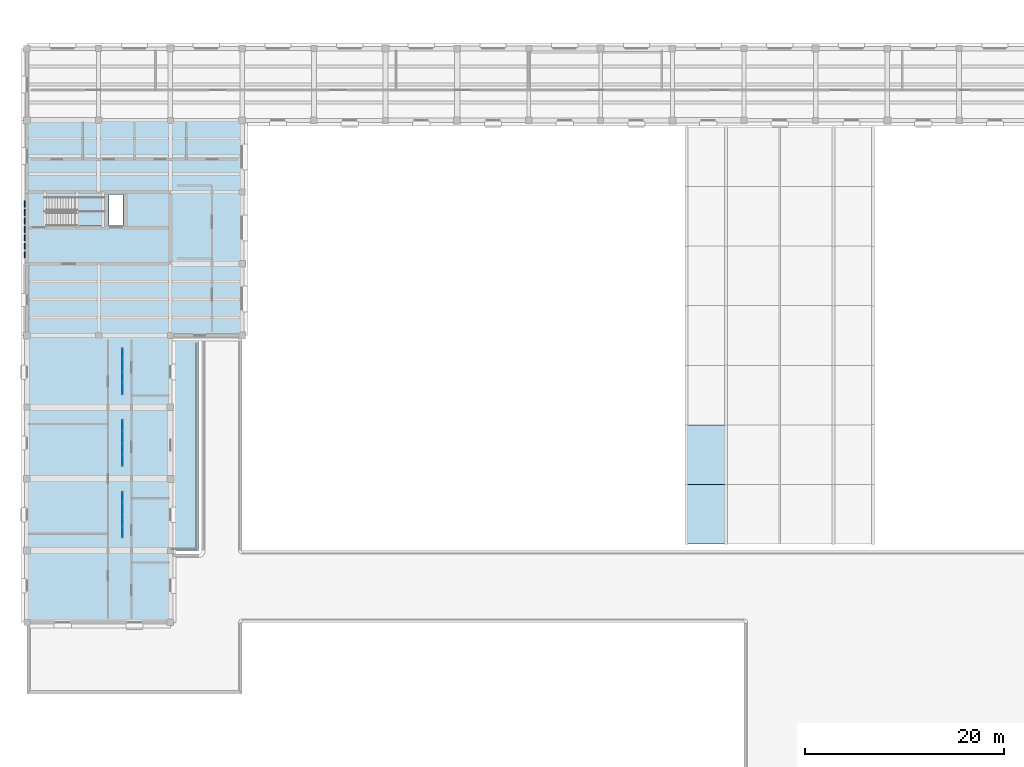
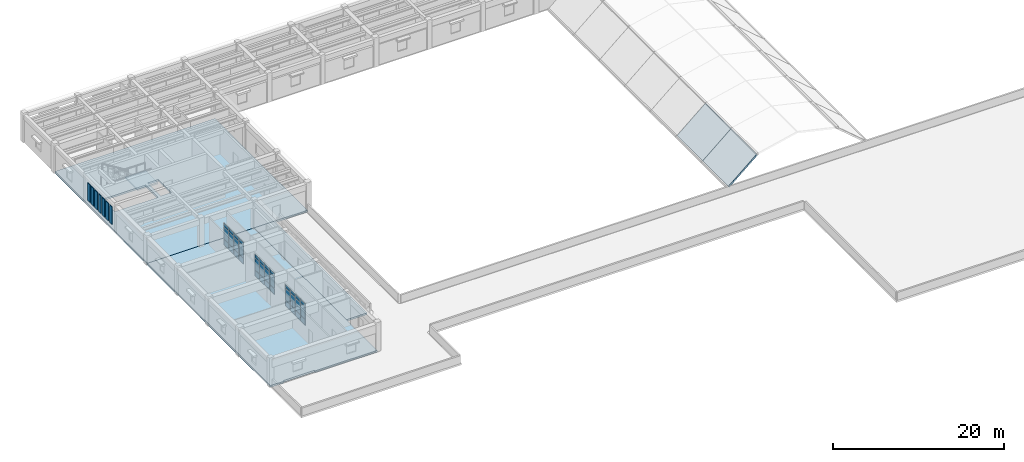
# One storey, part 13 of 40: 43 plates, 6 slabs, 4 elements without a shape of their own.
"""IFC4 building model written with IfcOpenShell, lengths in metres."""

from ifc_helpers import new_model, si_unit, direction, frame, origin, origin_2d, place, context, subcontext, project, spatial, polyline, rectangle, outline, extrude, material, layer, layer_set, type_object, element, aggregate, save


model = new_model("IFC4")

# Units and contexts
model_context = context("Model", 3, precision=1e-05, world=origin(), true_north=direction((0.0, 1.0)))
body_context = subcontext(model_context, "Body", "Model", "MODEL_VIEW")
ifc_project = project(units=[si_unit("LENGTHUNIT", "METRE"), si_unit("AREAUNIT", "SQUARE_METRE"), si_unit("VOLUMEUNIT", "CUBIC_METRE"), si_unit("PLANEANGLEUNIT", "RADIAN"), si_unit("MASSUNIT", "GRAM", prefix="KILO")], contexts=[model_context])

# Site, building, storey
site_placement = place(None, origin())
site = spatial("IfcSite", under=ifc_project, at=site_placement, CompositionType="ELEMENT")
building_placement = place(site_placement, origin())
building = spatial("IfcBuilding", under=site, at=building_placement, Name="Mithqara Police Headquarters", CompositionType="ELEMENT")
storey_placement = place(building_placement, frame((0.0, 0.0, 13.800048828125)))
storey = spatial("IfcBuildingStorey", under=building, at=storey_placement, Name="L03", CompositionType="ELEMENT", Elevation=13.800048828125)

# Curtain wall, plates
ifc_material_1 = material(Name="Bronze anodised aluminium 6063-T6", Category="aluminium")
curtain_wall_type = type_object("IfcCurtainWallType", Name="CURTAIN WALL 4700X3220", PredefinedType="USERDEFINED", material=ifc_material_1)
curtain_wall_1_placement = place(storey_placement, origin())
curtain_wall_1 = element("IfcCurtainWall", 1, at=curtain_wall_1_placement, inside=storey, type_object=curtain_wall_type, Name="L03 Unitised Glazing CW-16 (CW-INT-L03-X02-Y05-0)", ObjectType="UNITISED GLAZING", PredefinedType="USERDEFINED")
ifc_material_2 = material(Name="Spectrally selective double low-e glass", Category="glass")
ifc_layer_1 = layer(ifc_material_2, 0.028076171875, Name="Spectrally selective double low-e glass")
ifc_layer_set_1 = layer_set([ifc_layer_1], Name="Spectrally selective double low-e glass")
plate_type_1 = type_object("IfcPlateType", Name="CWPANEL GLASS28", PredefinedType="CURTAIN_PANEL", material=ifc_layer_set_1)
plate_1_placement = place(storey_placement, frame((17.39990234375, 37.25634765625, 0.074951171875), z_axis=(0.0, 0.0, 1.0), x_axis=(0.0, 1.0, 0.0)))
plate_1 = element("IfcPlate", 2, at=plate_1_placement, type_object=plate_type_1, Name="CW-16 panel 1.1", PredefinedType="CURTAIN_PANEL", context=body_context, shape_type="SweptSolid", body=[
    extrude(rectangle(XDim=1.0625, YDim=0.028076171875, at=origin_2d()), origin(), (0.0, 0.0, 1.0), 0.78759765625),
])
plate_2_placement = place(storey_placement, frame((17.39990234375, 37.25634765625, 0.9375), z_axis=(0.0, 0.0, 1.0), x_axis=(0.0, 1.0, 0.0)))
plate_2 = element("IfcPlate", 3, at=plate_2_placement, type_object=plate_type_1, Name="CW-16 panel 1.2", PredefinedType="CURTAIN_PANEL", context=body_context, shape_type="SweptSolid", body=[
    extrude(rectangle(XDim=1.0625, YDim=0.028076171875, at=origin_2d()), origin(), (0.0, 0.0, 1.0), 1.695068359375),
])
plate_3_placement = place(storey_placement, frame((17.39990234375, 37.25634765625, 2.70751953125), z_axis=(0.0, 0.0, 1.0), x_axis=(0.0, 1.0, 0.0)))
plate_3 = element("IfcPlate", 4, at=plate_3_placement, type_object=plate_type_1, Name="CW-16 panel 1.3", PredefinedType="CURTAIN_PANEL", context=body_context, shape_type="SweptSolid", body=[
    extrude(rectangle(XDim=1.0625, YDim=0.028076171875, at=origin_2d()), origin(), (0.0, 0.0, 1.0), 0.4375),
])
plate_4_placement = place(storey_placement, frame((17.39990234375, 38.41259765625, 0.074951171875), z_axis=(0.0, 0.0, 1.0), x_axis=(0.0, 1.0, 0.0)))
plate_4 = element("IfcPlate", 5, at=plate_4_placement, type_object=plate_type_1, Name="CW-16 panel 2.1", PredefinedType="CURTAIN_PANEL", context=body_context, shape_type="SweptSolid", body=[
    extrude(rectangle(XDim=1.10009765625, YDim=0.028076171875, at=origin_2d()), origin(), (0.0, 0.0, 1.0), 0.78759765625),
])
plate_5_placement = place(storey_placement, frame((17.39990234375, 38.41259765625, 0.9375), z_axis=(0.0, 0.0, 1.0), x_axis=(0.0, 1.0, 0.0)))
plate_5 = element("IfcPlate", 6, at=plate_5_placement, type_object=plate_type_1, Name="CW-16 panel 2.2", PredefinedType="CURTAIN_PANEL", context=body_context, shape_type="SweptSolid", body=[
    extrude(rectangle(XDim=1.10009765625, YDim=0.028076171875, at=origin_2d()), origin(), (0.0, 0.0, 1.0), 1.695068359375),
])
plate_6_placement = place(storey_placement, frame((17.39990234375, 38.41259765625, 2.70751953125), z_axis=(0.0, 0.0, 1.0), x_axis=(0.0, 1.0, 0.0)))
plate_6 = element("IfcPlate", 7, at=plate_6_placement, type_object=plate_type_1, Name="CW-16 panel 2.3", PredefinedType="CURTAIN_PANEL", context=body_context, shape_type="SweptSolid", body=[
    extrude(rectangle(XDim=1.10009765625, YDim=0.028076171875, at=origin_2d()), origin(), (0.0, 0.0, 1.0), 0.4375),
])
plate_7_placement = place(storey_placement, frame((17.39990234375, 39.58740234375, 0.074951171875), z_axis=(0.0, 0.0, 1.0), x_axis=(0.0, 1.0, 0.0)))
plate_7 = element("IfcPlate", 8, at=plate_7_placement, type_object=plate_type_1, Name="CW-16 panel 3.1", PredefinedType="CURTAIN_PANEL", context=body_context, shape_type="SweptSolid", body=[
    extrude(rectangle(XDim=1.10009765625, YDim=0.028076171875, at=origin_2d()), origin(), (0.0, 0.0, 1.0), 0.78759765625),
])
plate_8_placement = place(storey_placement, frame((17.39990234375, 39.58740234375, 0.9375), z_axis=(0.0, 0.0, 1.0), x_axis=(0.0, 1.0, 0.0)))
plate_8 = element("IfcPlate", 9, at=plate_8_placement, type_object=plate_type_1, Name="CW-16 panel 3.2", PredefinedType="CURTAIN_PANEL", context=body_context, shape_type="SweptSolid", body=[
    extrude(rectangle(XDim=1.10009765625, YDim=0.028076171875, at=origin_2d()), origin(), (0.0, 0.0, 1.0), 1.695068359375),
])
plate_9_placement = place(storey_placement, frame((17.39990234375, 39.58740234375, 2.70751953125), z_axis=(0.0, 0.0, 1.0), x_axis=(0.0, 1.0, 0.0)))
plate_9 = element("IfcPlate", 10, at=plate_9_placement, type_object=plate_type_1, Name="CW-16 panel 3.3", PredefinedType="CURTAIN_PANEL", context=body_context, shape_type="SweptSolid", body=[
    extrude(rectangle(XDim=1.10009765625, YDim=0.028076171875, at=origin_2d()), origin(), (0.0, 0.0, 1.0), 0.4375),
])
plate_10_placement = place(storey_placement, frame((17.39990234375, 40.74365234375, 0.074951171875), z_axis=(0.0, 0.0, 1.0), x_axis=(0.0, 1.0, 0.0)))
plate_10 = element("IfcPlate", 11, at=plate_10_placement, type_object=plate_type_1, Name="CW-16 panel 4.1", PredefinedType="CURTAIN_PANEL", context=body_context, shape_type="SweptSolid", body=[
    extrude(rectangle(XDim=1.0625, YDim=0.028076171875, at=origin_2d()), origin(), (0.0, 0.0, 1.0), 0.78759765625),
])
plate_11_placement = place(storey_placement, frame((17.39990234375, 40.74365234375, 0.9375), z_axis=(0.0, 0.0, 1.0), x_axis=(0.0, 1.0, 0.0)))
plate_11 = element("IfcPlate", 12, at=plate_11_placement, type_object=plate_type_1, Name="CW-16 panel 4.2", PredefinedType="CURTAIN_PANEL", context=body_context, shape_type="SweptSolid", body=[
    extrude(rectangle(XDim=1.0625, YDim=0.028076171875, at=origin_2d()), origin(), (0.0, 0.0, 1.0), 1.695068359375),
])
plate_12_placement = place(storey_placement, frame((17.39990234375, 40.74365234375, 2.70751953125), z_axis=(0.0, 0.0, 1.0), x_axis=(0.0, 1.0, 0.0)))
plate_12 = element("IfcPlate", 13, at=plate_12_placement, type_object=plate_type_1, Name="CW-16 panel 4.3", PredefinedType="CURTAIN_PANEL", context=body_context, shape_type="SweptSolid", body=[
    extrude(rectangle(XDim=1.0625, YDim=0.028076171875, at=origin_2d()), origin(), (0.0, 0.0, 1.0), 0.4375),
])
aggregate(curtain_wall_1, [plate_1, plate_2, plate_3, plate_4, plate_5, plate_6, plate_7, plate_8, plate_9, plate_10, plate_11, plate_12])

curtain_wall_2_placement = place(storey_placement, origin())
curtain_wall_2 = element("IfcCurtainWall", 14, at=curtain_wall_2_placement, inside=storey, type_object=curtain_wall_type, Name="L03 Unitised Glazing CW-16 (CW-INT-L03-X02-Y06-0)", ObjectType="UNITISED GLAZING", PredefinedType="USERDEFINED")
plate_13_placement = place(storey_placement, frame((17.39990234375, 44.456298828125, 0.074951171875), z_axis=(0.0, 0.0, 1.0), x_axis=(0.0, 1.0, 0.0)))
plate_13 = element("IfcPlate", 15, at=plate_13_placement, type_object=plate_type_1, Name="CW-16 panel 1.1", PredefinedType="CURTAIN_PANEL", context=body_context, shape_type="SweptSolid", body=[
    extrude(rectangle(XDim=1.0625, YDim=0.028076171875, at=origin_2d()), origin(), (0.0, 0.0, 1.0), 0.78759765625),
])
plate_14_placement = place(storey_placement, frame((17.39990234375, 44.456298828125, 0.9375), z_axis=(0.0, 0.0, 1.0), x_axis=(0.0, 1.0, 0.0)))
plate_14 = element("IfcPlate", 16, at=plate_14_placement, type_object=plate_type_1, Name="CW-16 panel 1.2", PredefinedType="CURTAIN_PANEL", context=body_context, shape_type="SweptSolid", body=[
    extrude(rectangle(XDim=1.0625, YDim=0.028076171875, at=origin_2d()), origin(), (0.0, 0.0, 1.0), 1.695068359375),
])
plate_15_placement = place(storey_placement, frame((17.39990234375, 44.456298828125, 2.70751953125), z_axis=(0.0, 0.0, 1.0), x_axis=(0.0, 1.0, 0.0)))
plate_15 = element("IfcPlate", 17, at=plate_15_placement, type_object=plate_type_1, Name="CW-16 panel 1.3", PredefinedType="CURTAIN_PANEL", context=body_context, shape_type="SweptSolid", body=[
    extrude(rectangle(XDim=1.0625, YDim=0.028076171875, at=origin_2d()), origin(), (0.0, 0.0, 1.0), 0.4375),
])
plate_16_placement = place(storey_placement, frame((17.39990234375, 45.612548828125, 0.074951171875), z_axis=(0.0, 0.0, 1.0), x_axis=(0.0, 1.0, 0.0)))
plate_16 = element("IfcPlate", 18, at=plate_16_placement, type_object=plate_type_1, Name="CW-16 panel 2.1", PredefinedType="CURTAIN_PANEL", context=body_context, shape_type="SweptSolid", body=[
    extrude(rectangle(XDim=1.10009765625, YDim=0.028076171875, at=origin_2d()), origin(), (0.0, 0.0, 1.0), 0.78759765625),
])
plate_17_placement = place(storey_placement, frame((17.39990234375, 45.612548828125, 0.9375), z_axis=(0.0, 0.0, 1.0), x_axis=(0.0, 1.0, 0.0)))
plate_17 = element("IfcPlate", 19, at=plate_17_placement, type_object=plate_type_1, Name="CW-16 panel 2.2", PredefinedType="CURTAIN_PANEL", context=body_context, shape_type="SweptSolid", body=[
    extrude(rectangle(XDim=1.10009765625, YDim=0.028076171875, at=origin_2d()), origin(), (0.0, 0.0, 1.0), 1.695068359375),
])
plate_18_placement = place(storey_placement, frame((17.39990234375, 45.612548828125, 2.70751953125), z_axis=(0.0, 0.0, 1.0), x_axis=(0.0, 1.0, 0.0)))
plate_18 = element("IfcPlate", 20, at=plate_18_placement, type_object=plate_type_1, Name="CW-16 panel 2.3", PredefinedType="CURTAIN_PANEL", context=body_context, shape_type="SweptSolid", body=[
    extrude(rectangle(XDim=1.10009765625, YDim=0.028076171875, at=origin_2d()), origin(), (0.0, 0.0, 1.0), 0.4375),
])
plate_19_placement = place(storey_placement, frame((17.39990234375, 46.78759765625, 0.074951171875), z_axis=(0.0, 0.0, 1.0), x_axis=(0.0, 1.0, 0.0)))
plate_19 = element("IfcPlate", 21, at=plate_19_placement, type_object=plate_type_1, Name="CW-16 panel 3.1", PredefinedType="CURTAIN_PANEL", context=body_context, shape_type="SweptSolid", body=[
    extrude(rectangle(XDim=1.10009765625, YDim=0.028076171875, at=origin_2d()), origin(), (0.0, 0.0, 1.0), 0.78759765625),
])
plate_20_placement = place(storey_placement, frame((17.39990234375, 46.78759765625, 0.9375), z_axis=(0.0, 0.0, 1.0), x_axis=(0.0, 1.0, 0.0)))
plate_20 = element("IfcPlate", 22, at=plate_20_placement, type_object=plate_type_1, Name="CW-16 panel 3.2", PredefinedType="CURTAIN_PANEL", context=body_context, shape_type="SweptSolid", body=[
    extrude(rectangle(XDim=1.10009765625, YDim=0.028076171875, at=origin_2d()), origin(), (0.0, 0.0, 1.0), 1.695068359375),
])
plate_21_placement = place(storey_placement, frame((17.39990234375, 46.78759765625, 2.70751953125), z_axis=(0.0, 0.0, 1.0), x_axis=(0.0, 1.0, 0.0)))
plate_21 = element("IfcPlate", 23, at=plate_21_placement, type_object=plate_type_1, Name="CW-16 panel 3.3", PredefinedType="CURTAIN_PANEL", context=body_context, shape_type="SweptSolid", body=[
    extrude(rectangle(XDim=1.10009765625, YDim=0.028076171875, at=origin_2d()), origin(), (0.0, 0.0, 1.0), 0.4375),
])
plate_22_placement = place(storey_placement, frame((17.39990234375, 47.94384765625, 0.074951171875), z_axis=(0.0, 0.0, 1.0), x_axis=(0.0, 1.0, 0.0)))
plate_22 = element("IfcPlate", 24, at=plate_22_placement, type_object=plate_type_1, Name="CW-16 panel 4.1", PredefinedType="CURTAIN_PANEL", context=body_context, shape_type="SweptSolid", body=[
    extrude(rectangle(XDim=1.0625, YDim=0.028076171875, at=origin_2d()), origin(), (0.0, 0.0, 1.0), 0.78759765625),
])
plate_23_placement = place(storey_placement, frame((17.39990234375, 47.94384765625, 0.9375), z_axis=(0.0, 0.0, 1.0), x_axis=(0.0, 1.0, 0.0)))
plate_23 = element("IfcPlate", 25, at=plate_23_placement, type_object=plate_type_1, Name="CW-16 panel 4.2", PredefinedType="CURTAIN_PANEL", context=body_context, shape_type="SweptSolid", body=[
    extrude(rectangle(XDim=1.0625, YDim=0.028076171875, at=origin_2d()), origin(), (0.0, 0.0, 1.0), 1.695068359375),
])
plate_24_placement = place(storey_placement, frame((17.39990234375, 47.94384765625, 2.70751953125), z_axis=(0.0, 0.0, 1.0), x_axis=(0.0, 1.0, 0.0)))
plate_24 = element("IfcPlate", 26, at=plate_24_placement, type_object=plate_type_1, Name="CW-16 panel 4.3", PredefinedType="CURTAIN_PANEL", context=body_context, shape_type="SweptSolid", body=[
    extrude(rectangle(XDim=1.0625, YDim=0.028076171875, at=origin_2d()), origin(), (0.0, 0.0, 1.0), 0.4375),
])
aggregate(curtain_wall_2, [plate_13, plate_14, plate_15, plate_16, plate_17, plate_18, plate_19, plate_20, plate_21, plate_22, plate_23, plate_24])

curtain_wall_3_placement = place(storey_placement, origin())
curtain_wall_3 = element("IfcCurtainWall", 27, at=curtain_wall_3_placement, inside=storey, type_object=curtain_wall_type, Name="L03 Unitised Glazing CW-16 (CW-INT-L03-X02-Y07-0)", ObjectType="UNITISED GLAZING", PredefinedType="USERDEFINED")
plate_25_placement = place(storey_placement, frame((17.39990234375, 51.65625, 0.074951171875), z_axis=(0.0, 0.0, 1.0), x_axis=(0.0, 1.0, 0.0)))
plate_25 = element("IfcPlate", 28, at=plate_25_placement, type_object=plate_type_1, Name="CW-16 panel 1.1", PredefinedType="CURTAIN_PANEL", context=body_context, shape_type="SweptSolid", body=[
    extrude(rectangle(XDim=1.0625, YDim=0.028076171875, at=origin_2d()), origin(), (0.0, 0.0, 1.0), 0.78759765625),
])
plate_26_placement = place(storey_placement, frame((17.39990234375, 51.65625, 0.9375), z_axis=(0.0, 0.0, 1.0), x_axis=(0.0, 1.0, 0.0)))
plate_26 = element("IfcPlate", 29, at=plate_26_placement, type_object=plate_type_1, Name="CW-16 panel 1.2", PredefinedType="CURTAIN_PANEL", context=body_context, shape_type="SweptSolid", body=[
    extrude(rectangle(XDim=1.0625, YDim=0.028076171875, at=origin_2d()), origin(), (0.0, 0.0, 1.0), 1.695068359375),
])
plate_27_placement = place(storey_placement, frame((17.39990234375, 51.65625, 2.70751953125), z_axis=(0.0, 0.0, 1.0), x_axis=(0.0, 1.0, 0.0)))
plate_27 = element("IfcPlate", 30, at=plate_27_placement, type_object=plate_type_1, Name="CW-16 panel 1.3", PredefinedType="CURTAIN_PANEL", context=body_context, shape_type="SweptSolid", body=[
    extrude(rectangle(XDim=1.0625, YDim=0.028076171875, at=origin_2d()), origin(), (0.0, 0.0, 1.0), 0.4375),
])
plate_28_placement = place(storey_placement, frame((17.39990234375, 52.8125, 0.074951171875), z_axis=(0.0, 0.0, 1.0), x_axis=(0.0, 1.0, 0.0)))
plate_28 = element("IfcPlate", 31, at=plate_28_placement, type_object=plate_type_1, Name="CW-16 panel 2.1", PredefinedType="CURTAIN_PANEL", context=body_context, shape_type="SweptSolid", body=[
    extrude(rectangle(XDim=1.10009765625, YDim=0.028076171875, at=origin_2d()), origin(), (0.0, 0.0, 1.0), 0.78759765625),
])
plate_29_placement = place(storey_placement, frame((17.39990234375, 52.8125, 0.9375), z_axis=(0.0, 0.0, 1.0), x_axis=(0.0, 1.0, 0.0)))
plate_29 = element("IfcPlate", 32, at=plate_29_placement, type_object=plate_type_1, Name="CW-16 panel 2.2", PredefinedType="CURTAIN_PANEL", context=body_context, shape_type="SweptSolid", body=[
    extrude(rectangle(XDim=1.10009765625, YDim=0.028076171875, at=origin_2d()), origin(), (0.0, 0.0, 1.0), 1.695068359375),
])
plate_30_placement = place(storey_placement, frame((17.39990234375, 52.8125, 2.70751953125), z_axis=(0.0, 0.0, 1.0), x_axis=(0.0, 1.0, 0.0)))
plate_30 = element("IfcPlate", 33, at=plate_30_placement, type_object=plate_type_1, Name="CW-16 panel 2.3", PredefinedType="CURTAIN_PANEL", context=body_context, shape_type="SweptSolid", body=[
    extrude(rectangle(XDim=1.10009765625, YDim=0.028076171875, at=origin_2d()), origin(), (0.0, 0.0, 1.0), 0.4375),
])
plate_31_placement = place(storey_placement, frame((17.39990234375, 53.987548828125, 0.074951171875), z_axis=(0.0, 0.0, 1.0), x_axis=(0.0, 1.0, 0.0)))
plate_31 = element("IfcPlate", 34, at=plate_31_placement, type_object=plate_type_1, Name="CW-16 panel 3.1", PredefinedType="CURTAIN_PANEL", context=body_context, shape_type="SweptSolid", body=[
    extrude(rectangle(XDim=1.10009765625, YDim=0.028076171875, at=origin_2d()), origin(), (0.0, 0.0, 1.0), 0.78759765625),
])
plate_32_placement = place(storey_placement, frame((17.39990234375, 53.987548828125, 0.9375), z_axis=(0.0, 0.0, 1.0), x_axis=(0.0, 1.0, 0.0)))
plate_32 = element("IfcPlate", 35, at=plate_32_placement, type_object=plate_type_1, Name="CW-16 panel 3.2", PredefinedType="CURTAIN_PANEL", context=body_context, shape_type="SweptSolid", body=[
    extrude(rectangle(XDim=1.10009765625, YDim=0.028076171875, at=origin_2d()), origin(), (0.0, 0.0, 1.0), 1.695068359375),
])
plate_33_placement = place(storey_placement, frame((17.39990234375, 53.987548828125, 2.70751953125), z_axis=(0.0, 0.0, 1.0), x_axis=(0.0, 1.0, 0.0)))
plate_33 = element("IfcPlate", 36, at=plate_33_placement, type_object=plate_type_1, Name="CW-16 panel 3.3", PredefinedType="CURTAIN_PANEL", context=body_context, shape_type="SweptSolid", body=[
    extrude(rectangle(XDim=1.10009765625, YDim=0.028076171875, at=origin_2d()), origin(), (0.0, 0.0, 1.0), 0.4375),
])
plate_34_placement = place(storey_placement, frame((17.39990234375, 55.143798828125, 0.074951171875), z_axis=(0.0, 0.0, 1.0), x_axis=(0.0, 1.0, 0.0)))
plate_34 = element("IfcPlate", 37, at=plate_34_placement, type_object=plate_type_1, Name="CW-16 panel 4.1", PredefinedType="CURTAIN_PANEL", context=body_context, shape_type="SweptSolid", body=[
    extrude(rectangle(XDim=1.0625, YDim=0.028076171875, at=origin_2d()), origin(), (0.0, 0.0, 1.0), 0.78759765625),
])
plate_35_placement = place(storey_placement, frame((17.39990234375, 55.143798828125, 0.9375), z_axis=(0.0, 0.0, 1.0), x_axis=(0.0, 1.0, 0.0)))
plate_35 = element("IfcPlate", 38, at=plate_35_placement, type_object=plate_type_1, Name="CW-16 panel 4.2", PredefinedType="CURTAIN_PANEL", context=body_context, shape_type="SweptSolid", body=[
    extrude(rectangle(XDim=1.0625, YDim=0.028076171875, at=origin_2d()), origin(), (0.0, 0.0, 1.0), 1.695068359375),
])
plate_36_placement = place(storey_placement, frame((17.39990234375, 55.143798828125, 2.70751953125), z_axis=(0.0, 0.0, 1.0), x_axis=(0.0, 1.0, 0.0)))
plate_36 = element("IfcPlate", 39, at=plate_36_placement, type_object=plate_type_1, Name="CW-16 panel 4.3", PredefinedType="CURTAIN_PANEL", context=body_context, shape_type="SweptSolid", body=[
    extrude(rectangle(XDim=1.0625, YDim=0.028076171875, at=origin_2d()), origin(), (0.0, 0.0, 1.0), 0.4375),
])
aggregate(curtain_wall_3, [plate_25, plate_26, plate_27, plate_28, plate_29, plate_30, plate_31, plate_32, plate_33, plate_34, plate_35, plate_36])

# Slabs
ifc_material_3 = material(Name="Concrete C40/50", Category="concrete")
ifc_layer_2 = layer(ifc_material_3, 0.260009765625, Name="Concrete C40/50")
ifc_layer_set_2 = layer_set([ifc_layer_2], Name="Concrete C40/50")
slab_type_1 = type_object("IfcSlabType", Name="FLOOR SLAB 260", PredefinedType="FLOOR", material=ifc_layer_set_2)
slab_1_placement = place(storey_placement, frame((0.0, 0.0, -0.260009765625)))
element("IfcSlab", 40, at=slab_1_placement, inside=storey, type_object=slab_type_1, Name="L03 Structural Slab L03-V3", PredefinedType="FLOOR", context=body_context, shape_type="SweptSolid", body=[
    extrude(outline(polyline([(7.800048828125, 57.0), (22.199951171875, 57.0), (22.199951171875, 28.199951171875), (13.800048828125, 28.199951171875), (13.800048828125, 28.340087890625), (9.60009765625, 28.340087890625), (9.60009765625, 28.199951171875), (7.800048828125, 28.199951171875), (7.800048828125, 57.0)])), origin(), (0.0, 0.0, 1.0), 0.260009765625),
])
slab_2_placement = place(storey_placement, frame((0.0, 0.0, -0.260009765625)))
element("IfcSlab", 41, at=slab_2_placement, inside=storey, type_object=slab_type_1, Name="L03 Structural Slab L03-V5W", PredefinedType="FLOOR", context=body_context, shape_type="SweptSolid", body=[
    extrude(outline(polyline([(29.39990234375, 57.0), (22.199951171875, 57.0), (7.800048828125, 57.0), (7.800048828125, 78.60009765625), (9.60009765625, 78.60009765625), (13.800048828125, 78.60009765625), (29.39990234375, 78.60009765625), (29.39990234375, 57.0)]), holes=[polyline([(9.75, 68.0), (15.60009765625, 68.0), (15.60009765625, 70.89990234375), (9.75, 70.89990234375), (9.75, 68.0)]), polyline([(17.449951171875, 68.070068359375), (17.449951171875, 71.14990234375), (16.030029296875, 71.14990234375), (16.030029296875, 68.070068359375), (17.449951171875, 68.070068359375)])]), origin(), (0.0, 0.0, 1.0), 0.260009765625),
])

# Stair, slab
stair_type = type_object("IfcStairType", Name="STAIR ST 03-R24", PredefinedType="HALF_TURN_STAIR", material=ifc_material_3)
stair_placement = place(storey_placement, origin())
stair = element("IfcStair", 42, at=stair_placement, inside=storey, type_object=stair_type, Name="L03 Core C3 Operations West Exit Stair", PredefinedType="HALF_TURN_STAIR")
ifc_layer_3 = layer(ifc_material_3, 0.199951171875, Name="Concrete C40/50")
ifc_layer_set_3 = layer_set([ifc_layer_3], Name="Concrete C40/50")
slab_type_2 = type_object("IfcSlabType", Name="STAIR LANDING 200", PredefinedType="LANDING", material=ifc_layer_set_3)
slab_3_placement = place(storey_placement, frame((0.0, 0.0, 1.89990234375)))
slab_3 = element("IfcSlab", 43, at=slab_3_placement, type_object=slab_type_2, Name="ST-03 landing 1", PredefinedType="LANDING", context=body_context, shape_type="SweptSolid", body=[
    extrude(outline(polyline([(12.830078125, 68.0), (15.60009765625, 68.0), (15.60009765625, 70.89990234375), (12.830078125, 70.89990234375), (12.830078125, 68.0)])), origin(), (0.0, 0.0, 1.0), 0.199951171875),
])
aggregate(stair, [slab_3])

# Plates
ifc_material_4 = material(Name="Limestone ashlar masonry, 45 MPa", Category="masonry")
ifc_layer_4 = layer(ifc_material_4, 0.10009765625, Name="Limestone ashlar masonry, 45 MPa")
ifc_layer_set_4 = layer_set([ifc_layer_4], Name="Limestone ashlar masonry, 45 MPa")
plate_type_2 = type_object("IfcPlateType", Name="STONE SCREEN 100", PredefinedType="USERDEFINED", material=ifc_layer_set_4)
for number, where, z_axis, x_axis, name in (
    (44, (7.56494140625, 65.10009765625, 0.89990234375), (0.0, 0.0, 1.0), (0.0, 1.0, 0.0), "L03 Core C3 Pierced Vertical-Slit Screen 1"),
    (45, (7.56494140625, 65.949951171875, 0.89990234375), (0.0, 0.0, 1.0), (0.0, 1.0, 0.0), "L03 Core C3 Pierced Vertical-Slit Screen 2"),
    (46, (7.56494140625, 66.800048828125, 0.89990234375), (0.0, 0.0, 1.0), (0.0, 1.0, 0.0), "L03 Core C3 Pierced Vertical-Slit Screen 3"),
    (47, (7.56494140625, 67.64990234375, 0.89990234375), (0.0, 0.0, 1.0), (0.0, 1.0, 0.0), "L03 Core C3 Pierced Vertical-Slit Screen 4"),
    (48, (7.56494140625, 68.5, 0.89990234375), (0.0, 0.0, 1.0), (0.0, 1.0, 0.0), "L03 Core C3 Pierced Vertical-Slit Screen 5"),
    (49, (7.56494140625, 69.35009765625, 0.89990234375), (0.0, 0.0, 1.0), (0.0, 1.0, 0.0), "L03 Core C3 Pierced Vertical-Slit Screen 6"),
    (50, (7.56494140625, 70.199951171875, 0.89990234375), (0.0, 0.0, 1.0), (0.0, 1.0, 0.0), "L03 Core C3 Pierced Vertical-Slit Screen 7"),
):
    element("IfcPlate", number, at=place(storey_placement, frame(where, z_axis=z_axis, x_axis=x_axis)), inside=storey, type_object=plate_type_2, Name=name, ObjectType="STONE SCREEN", PredefinedType="USERDEFINED", context=body_context, shape_type="SweptSolid", body=[
        extrude(rectangle(XDim=0.6201171875, YDim=0.10009765625, at=origin_2d()), origin(), (0.0, 0.0, 1.0), 2.5),
    ])

# Slabs
ifc_layer_5 = layer(ifc_material_3, 0.239990234375, Name="Concrete C40/50")
ifc_layer_set_5 = layer_set([ifc_layer_5], Name="Concrete C40/50")
slab_type_3 = type_object("IfcSlabType", Name="TERRACE SLAB 240", PredefinedType="FLOOR", material=ifc_layer_set_5)
slab_4_placement = place(storey_placement, frame((0.0, 0.0, -0.239990234375)))
element("IfcSlab", 51, at=slab_4_placement, inside=storey, type_object=slab_type_3, Name="L03 Walkable Roof Terrace TER-L03-W", PredefinedType="FLOOR", context=body_context, shape_type="SweptSolid", body=[
    extrude(outline(polyline([(25.0, 35.39990234375), (22.199951171875, 35.39990234375), (22.199951171875, 57.0), (25.0, 57.0), (25.0, 35.39990234375)])), origin(), (0.0, 0.0, 1.0), 0.239990234375),
])
ifc_layer_6 = layer(ifc_material_3, 0.219970703125, Name="Concrete C40/50")
ifc_layer_set_6 = layer_set([ifc_layer_6], Name="Concrete C40/50")
slab_type_4 = type_object("IfcSlabType", Name="VAULT SHELL 220", PredefinedType="ROOF", material=ifc_layer_set_6)
slab_5_placement = place(storey_placement, frame((74.0986328125, 36.052978515625, 0.444091796875), z_axis=(-0.648438477764, 0.0, 0.761267062571), x_axis=(0.761267062571, 0.0, 0.648438477764)))
element("IfcSlab", 52, at=slab_5_placement, inside=storey, type_object=slab_type_4, Name="Public Entrance Hall Barrel Vault Shell Strip Bay 1 Facet 2", PredefinedType="ROOF", context=body_context, shape_type="SweptSolid", body=[
    extrude(outline(polyline([(0.0, 0.0), (5.056844784537099, 0.0), (5.056844784537099, 5.979736328125), (0.0, 5.979736328125), (0.0, 0.0)])), origin(), (0.0, 0.0, -1.0), 0.219970703125),
])
slab_6_placement = place(storey_placement, frame((74.0986328125, 42.038818359375, 0.444091796875), z_axis=(-0.648438477764, 0.0, 0.761267062571), x_axis=(0.761267062571, 0.0, 0.648438477764)))
element("IfcSlab", 53, at=slab_6_placement, inside=storey, type_object=slab_type_4, Name="Public Entrance Hall Barrel Vault Shell Strip Bay 2 Facet 2", PredefinedType="ROOF", context=body_context, shape_type="SweptSolid", body=[
    extrude(outline(polyline([(0.0, 0.0), (5.056844784537099, 0.0), (5.056844784537099, 5.979492187500001), (0.0, 5.979492187500001), (0.0, 0.0)])), origin(), (0.0, 0.0, -1.0), 0.219970703125),
])

save(model, "model.ifc")
